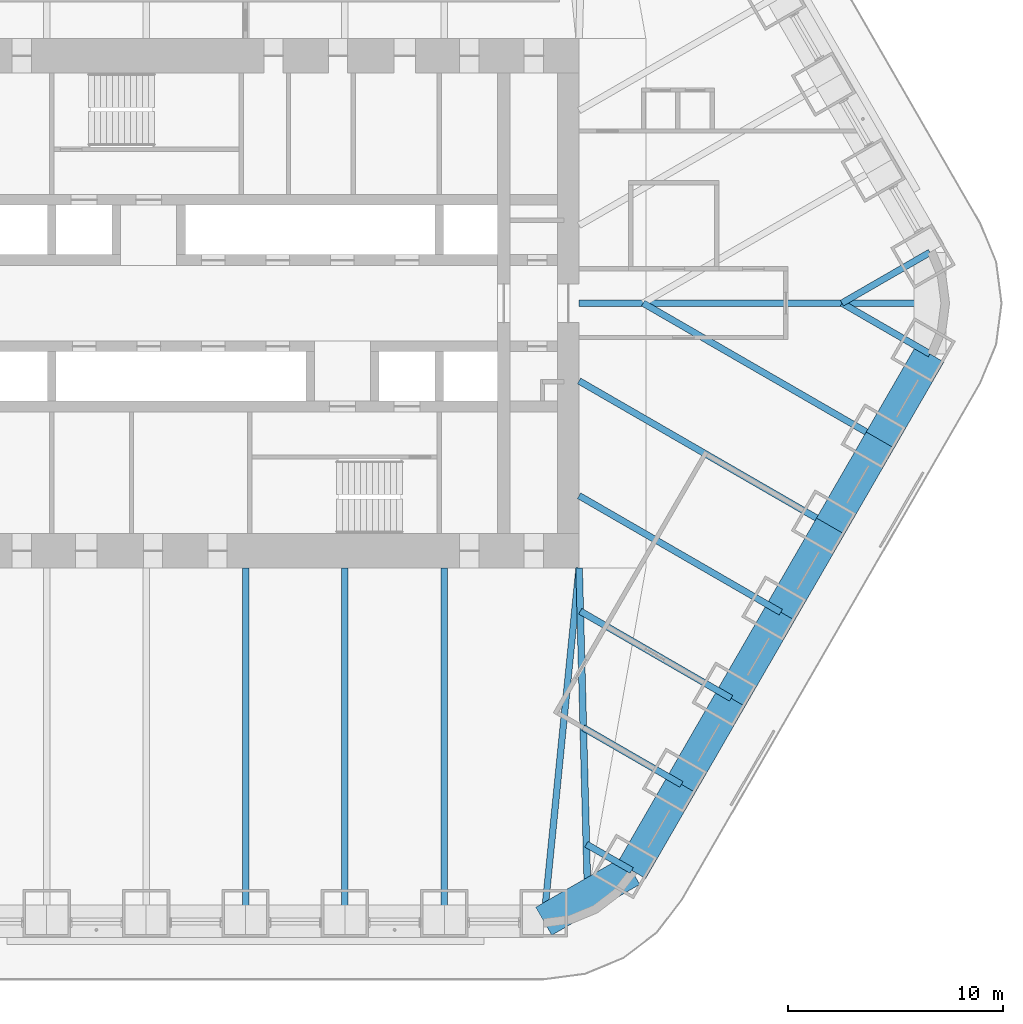
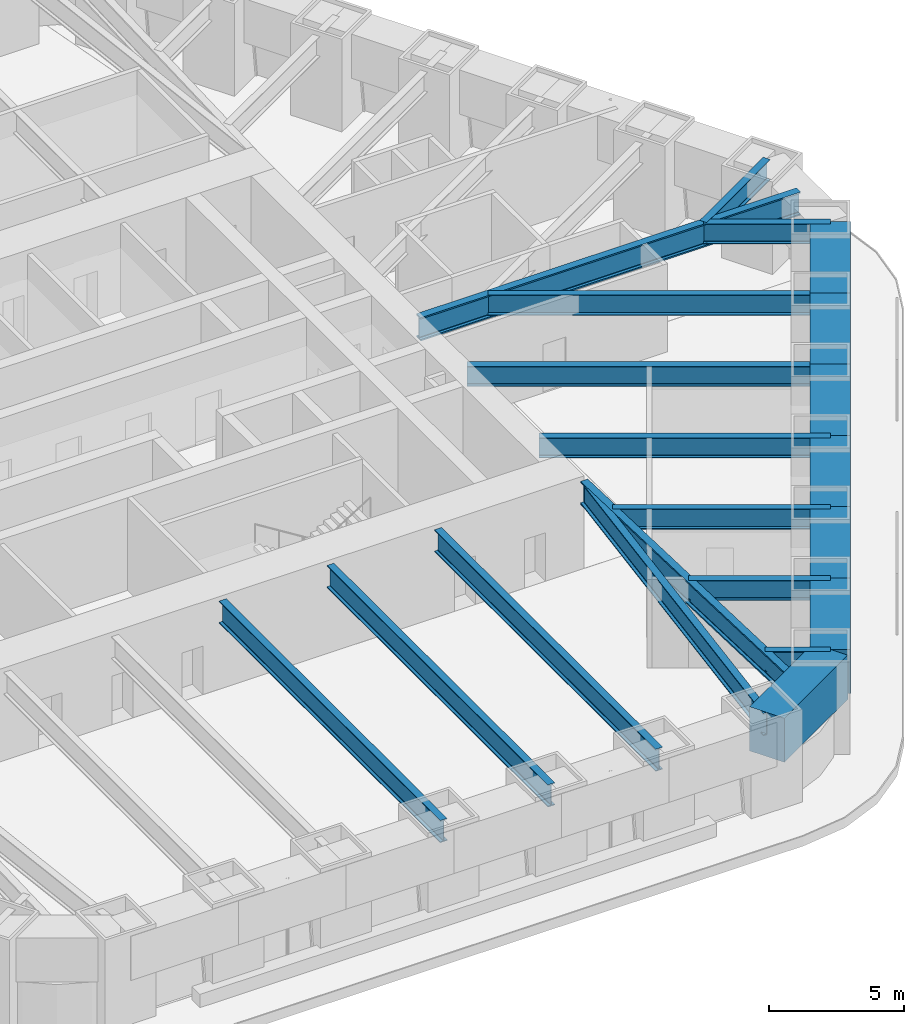
# One storey, part 5 of 20: 21 beams.
"""IFC4 building model written with IfcOpenShell, lengths in metres."""

from ifc_helpers import new_model, si_unit, direction, frame, origin, origin_2d, place, context, subcontext, project, spatial, rectangle, i_section, extrude, material, material_profile, profile_set, type_object, element, save


model = new_model("IFC4")

# Units and contexts
model_context = context("Model", 3, precision=1e-05, world=origin(), true_north=direction((0.0, 1.0)))
body_context = subcontext(model_context, "Body", "Model", "MODEL_VIEW")
ifc_project = project(units=[si_unit("LENGTHUNIT", "METRE"), si_unit("AREAUNIT", "SQUARE_METRE"), si_unit("VOLUMEUNIT", "CUBIC_METRE"), si_unit("PLANEANGLEUNIT", "RADIAN"), si_unit("MASSUNIT", "GRAM", prefix="KILO")], contexts=[model_context])

# Site, building, storey
site_placement = place(None, origin())
site = spatial("IfcSite", under=ifc_project, at=site_placement, CompositionType="ELEMENT")
building_placement = place(site_placement, origin())
building = spatial("IfcBuilding", under=site, at=building_placement, Name="Tarfa Lantern Tower", CompositionType="ELEMENT")
storey_placement = place(building_placement, frame((0.0, 0.0, 215.5)))
storey = spatial("IfcBuildingStorey", under=building, at=storey_placement, Name="L48", CompositionType="ELEMENT", Elevation=215.5)

# Beams
ifc_material_1 = material(Name="Concrete C80/95", Category="concrete")
ifc_material_profile_1 = material_profile(ifc_material_1, rectangle(XDim=1.5, YDim=2.0, at=origin_2d()), Name="RC 1500x2000")
ifc_profile_set_1 = profile_set([ifc_material_profile_1], Name="Concrete C80/95")
beam_type_1 = type_object("IfcBeamType", Name="RB3 RC 1500x2000", PredefinedType="BEAM", material=ifc_profile_set_1)
beam_1_placement = place(storey_placement, frame((13.8564453125, -28.719970703125, 3.0), z_axis=(0.866038294681, 0.499977671647, 0.0), x_axis=(-0.499977671647, 0.866038294681, 0.0)))
element("IfcBeam", 1, at=beam_1_placement, inside=storey, type_object=beam_type_1, Name="Edge beam S6", PredefinedType="BEAM", context=body_context, shape_type="SweptSolid", body=[
    extrude(rectangle(XDim=1.5, YDim=2.0, at=origin_2d()), origin(), (0.0, 0.0, 1.0), 4.719970703125),
])
for number, where, z_axis, x_axis, name in (
    (2, (17.944091796875, -26.360107421875, 3.0), (0.499987836815, 0.866032426089, 0.0), (-0.866032426089, 0.499987836815, 0.0), "Edge beam SE0"),
    (3, (20.25341796875, -22.360107421875, 3.0), (0.499987836815, 0.866032426089, 0.0), (-0.866032426089, 0.499987836815, 0.0), "Edge beam SE1"),
):
    element("IfcBeam", number, at=place(storey_placement, frame(where, z_axis=z_axis, x_axis=x_axis)), inside=storey, type_object=beam_type_1, Name=name, PredefinedType="BEAM", context=body_context, shape_type="SweptSolid", body=[
        extrude(rectangle(XDim=1.5, YDim=2.0, at=origin_2d()), origin(), (0.0, 0.0, 1.0), 4.61865234375),
    ])
beam_2_placement = place(storey_placement, frame((22.562744140625, -18.360107421875, 3.0), z_axis=(0.500027479704, 0.866009537788, 0.0), x_axis=(-0.866009537788, 0.500027479704, 0.0)))
element("IfcBeam", 4, at=beam_2_placement, inside=storey, type_object=beam_type_1, Name="Edge beam SE2", PredefinedType="BEAM", context=body_context, shape_type="SweptSolid", body=[
    extrude(rectangle(XDim=1.5, YDim=2.0, at=origin_2d()), origin(), (0.0, 0.0, 1.0), 4.618896484375),
])
for number, where, z_axis, x_axis, name in (
    (5, (24.872314453125, -14.360107421875, 3.0), (0.499987836815, 0.866032426089, 0.0), (-0.866032426089, 0.499987836815, 0.0), "Edge beam SE3"),
    (6, (27.181640625, -10.360107421875, 3.0), (0.499987836815, 0.866032426089, 0.0), (-0.866032426089, 0.499987836815, 0.0), "Edge beam SE4"),
):
    element("IfcBeam", number, at=place(storey_placement, frame(where, z_axis=z_axis, x_axis=x_axis)), inside=storey, type_object=beam_type_1, Name=name, PredefinedType="BEAM", context=body_context, shape_type="SweptSolid", body=[
        extrude(rectangle(XDim=1.5, YDim=2.0, at=origin_2d()), origin(), (0.0, 0.0, 1.0), 4.61865234375),
    ])
beam_3_placement = place(storey_placement, frame((29.490966796875, -6.360107421875, 3.0), z_axis=(0.500027479704, 0.866009537788, 0.0), x_axis=(-0.866009537788, 0.500027479704, 0.0)))
element("IfcBeam", 7, at=beam_3_placement, inside=storey, type_object=beam_type_1, Name="Edge beam SE5", PredefinedType="BEAM", context=body_context, shape_type="SweptSolid", body=[
    extrude(rectangle(XDim=1.5, YDim=2.0, at=origin_2d()), origin(), (0.0, 0.0, 1.0), 4.618896484375),
])
ifc_material_2 = material(Name="Steel S460M", Category="steel")
ifc_material_profile_2 = material_profile(ifc_material_2, i_section(OverallWidth=0.302001953125, OverallDepth=1.008056640625, WebThickness=0.02099609375, FlangeThickness=0.0400390625, FilletRadius=0.030029296875, at=origin_2d()), Name="UB1016x305x349")
ifc_profile_set_2 = profile_set([ifc_material_profile_2], Name="Steel S460M")
beam_type_2 = type_object("IfcBeamType", Name="UB1016x305x349", PredefinedType="BEAM", material=ifc_profile_set_2)
for number, where, z_axis, x_axis, name in (
    (8, (0.0, -28.719970703125, 3.495849609375), (0.0, 1.0, 0.0), (-1.0, 0.0, 0.0), "Floor beam S3"),
    (9, (4.618896484375, -28.719970703125, 3.495849609375), (0.0, 1.0, 0.0), (-1.0, 0.0, 0.0), "Floor beam S4"),
    (10, (9.237548828125, -28.719970703125, 3.495849609375), (0.0, 1.0, 0.0), (-1.0, 0.0, 0.0), "Floor beam S5"),
):
    element("IfcBeam", number, at=place(storey_placement, frame(where, z_axis=z_axis, x_axis=x_axis)), inside=storey, type_object=beam_type_2, Name=name, PredefinedType="BEAM", context=body_context, shape_type="SweptSolid", body=[
        extrude(i_section(OverallWidth=0.302001953125, OverallDepth=1.008056640625, WebThickness=0.02099609375, FlangeThickness=0.0400390625, FilletRadius=0.030029296875, at=origin_2d()), origin(), (0.0, 0.0, 1.0), 16.419921875),
    ])
beam_4_placement = place(storey_placement, frame((13.8564453125, -28.719970703125, 3.495849609375), z_axis=(0.099597466746, 0.995027810977, 0.0), x_axis=(-0.995027810977, 0.099597466746, 0.0)))
element("IfcBeam", 11, at=beam_4_placement, inside=storey, type_object=beam_type_2, Name="Floor beam S6", PredefinedType="BEAM", context=body_context, shape_type="SweptSolid", body=[
    extrude(i_section(OverallWidth=0.302001953125, OverallDepth=1.008056640625, WebThickness=0.02099609375, FlangeThickness=0.0400390625, FilletRadius=0.030029296875, at=origin_2d()), origin(), (0.0, 0.0, 1.0), 16.501953125),
])
ifc_material_profile_3 = material_profile(ifc_material_2, i_section(OverallWidth=0.314208984375, OverallDepth=1.055908203125, WebThickness=0.035888671875, FlangeThickness=0.06396484375, FilletRadius=0.030029296875, at=origin_2d()), Name="UB1016x305x584")
ifc_profile_set_3 = profile_set([ifc_material_profile_3], Name="Steel S460M")
beam_type_3 = type_object("IfcBeamType", Name="UB1016x305x584", PredefinedType="BEAM", material=ifc_profile_set_3)
beam_5_placement = place(storey_placement, frame((15.5, 0.0, 3.471923828125), z_axis=(1.0, 0.0, 0.0), x_axis=(0.0, 1.0, 0.0)))
element("IfcBeam", 12, at=beam_5_placement, inside=storey, type_object=beam_type_3, Name="Hip girder E", PredefinedType="BEAM", context=body_context, shape_type="SweptSolid", body=[
    extrude(i_section(OverallWidth=0.314208984375, OverallDepth=1.055908203125, WebThickness=0.035888671875, FlangeThickness=0.06396484375, FilletRadius=0.030029296875, at=origin_2d()), origin(), (0.0, 0.0, 1.0), 16.300537109375),
])
beam_6_placement = place(storey_placement, frame((15.5, -12.300048828125, 3.471923828125), z_axis=(0.026247301989, -0.999655480222, 0.0), x_axis=(0.999655480222, 0.026247301989, 0.0)))
element("IfcBeam", 13, at=beam_6_placement, inside=storey, type_object=beam_type_3, Name="Hip girder SE", PredefinedType="BEAM", context=body_context, shape_type="SweptSolid", body=[
    extrude(i_section(OverallWidth=0.314208984375, OverallDepth=1.055908203125, WebThickness=0.035888671875, FlangeThickness=0.06396484375, FilletRadius=0.030029296875, at=origin_2d()), origin(), (0.0, 0.0, 1.0), 15.245361328125),
])
ifc_material_profile_4 = material_profile(ifc_material_2, i_section(OverallWidth=0.305419921875, OverallDepth=0.91845703125, WebThickness=0.017333984375, FlangeThickness=0.02783203125, FilletRadius=0.01904296875, at=origin_2d()), Name="UB914x305x253")
ifc_profile_set_4 = profile_set([ifc_material_profile_4], Name="Steel S460M")
beam_type_4 = type_object("IfcBeamType", Name="UB914x305x253", PredefinedType="BEAM", material=ifc_profile_set_4)
beam_7_placement = place(storey_placement, frame((31.800537109375, 2.360107421875, 3.540771484375), z_axis=(-0.866015897305, -0.500016465344, 0.0), x_axis=(0.500016465344, -0.866015897305, 0.0)))
element("IfcBeam", 14, at=beam_7_placement, inside=storey, type_object=beam_type_4, Name="Floor beam NE0", PredefinedType="BEAM", context=body_context, shape_type="SweptSolid", body=[
    extrude(i_section(OverallWidth=0.305419921875, OverallDepth=0.91845703125, WebThickness=0.017333984375, FlangeThickness=0.02783203125, FilletRadius=0.01904296875, at=origin_2d()), origin(), (0.0, 0.0, 1.0), 4.719970703125),
])
beam_8_placement = place(storey_placement, frame((17.944091796875, -26.360107421875, 3.540771484375), z_axis=(-0.865980009423, 0.5000786171, 0.0), x_axis=(-0.5000786171, -0.865980009423, 0.0)))
element("IfcBeam", 15, at=beam_8_placement, inside=storey, type_object=beam_type_4, Name="Floor beam SE0", PredefinedType="BEAM", context=body_context, shape_type="SweptSolid", body=[
    extrude(i_section(OverallWidth=0.305419921875, OverallDepth=0.91845703125, WebThickness=0.017333984375, FlangeThickness=0.02783203125, FilletRadius=0.01904296875, at=origin_2d()), origin(), (0.0, 0.0, 1.0), 2.4326171875),
])
beam_9_placement = place(storey_placement, frame((20.25341796875, -22.360107421875, 3.540771484375), z_axis=(-0.86601951648, 0.500010196972, 0.0), x_axis=(-0.500010196972, -0.86601951648, 0.0)))
element("IfcBeam", 16, at=beam_9_placement, inside=storey, type_object=beam_type_4, Name="Floor beam SE1", PredefinedType="BEAM", context=body_context, shape_type="SweptSolid", body=[
    extrude(i_section(OverallWidth=0.305419921875, OverallDepth=0.91845703125, WebThickness=0.017333984375, FlangeThickness=0.02783203125, FilletRadius=0.01904296875, at=origin_2d()), origin(), (0.0, 0.0, 1.0), 5.263671875),
])
beam_10_placement = place(storey_placement, frame((22.562744140625, -18.360107421875, 3.540771484375), z_axis=(-0.866010787764, 0.500025314835, 0.0), x_axis=(-0.500025314835, -0.866010787764, 0.0)))
element("IfcBeam", 17, at=beam_10_placement, inside=storey, type_object=beam_type_4, Name="Floor beam SE2", PredefinedType="BEAM", context=body_context, shape_type="SweptSolid", body=[
    extrude(i_section(OverallWidth=0.305419921875, OverallDepth=0.91845703125, WebThickness=0.017333984375, FlangeThickness=0.02783203125, FilletRadius=0.01904296875, at=origin_2d()), origin(), (0.0, 0.0, 1.0), 8.09423828125),
])
beam_11_placement = place(storey_placement, frame((24.872314453125, -14.360107421875, 3.540771484375), z_axis=(-0.8660244219, 0.500001700669, 0.0), x_axis=(-0.500001700669, -0.8660244219, 0.0)))
element("IfcBeam", 18, at=beam_11_placement, inside=storey, type_object=beam_type_4, Name="Floor beam SE3", PredefinedType="BEAM", context=body_context, shape_type="SweptSolid", body=[
    extrude(i_section(OverallWidth=0.305419921875, OverallDepth=0.91845703125, WebThickness=0.017333984375, FlangeThickness=0.02783203125, FilletRadius=0.01904296875, at=origin_2d()), origin(), (0.0, 0.0, 1.0), 10.822265625),
])
beam_12_placement = place(storey_placement, frame((27.181640625, -10.360107421875, 3.540771484375), z_axis=(-0.866018002818, 0.500012818631, 0.0), x_axis=(-0.500012818631, -0.866018002818, 0.0)))
element("IfcBeam", 19, at=beam_12_placement, inside=storey, type_object=beam_type_4, Name="Floor beam SE4", PredefinedType="BEAM", context=body_context, shape_type="SweptSolid", body=[
    extrude(i_section(OverallWidth=0.305419921875, OverallDepth=0.91845703125, WebThickness=0.017333984375, FlangeThickness=0.02783203125, FilletRadius=0.01904296875, at=origin_2d()), origin(), (0.0, 0.0, 1.0), 13.489013671875),
])
beam_13_placement = place(storey_placement, frame((29.490966796875, -6.360107421875, 3.540771484375), z_axis=(-0.866022258038, 0.500005448553, 0.0), x_axis=(-0.500005448553, -0.866022258038, 0.0)))
element("IfcBeam", 20, at=beam_13_placement, inside=storey, type_object=beam_type_4, Name="Floor beam SE5", PredefinedType="BEAM", context=body_context, shape_type="SweptSolid", body=[
    extrude(i_section(OverallWidth=0.305419921875, OverallDepth=0.91845703125, WebThickness=0.017333984375, FlangeThickness=0.02783203125, FilletRadius=0.01904296875, at=origin_2d()), origin(), (0.0, 0.0, 1.0), 12.719970703125),
])
beam_14_placement = place(storey_placement, frame((31.800537109375, -2.360107421875, 3.540771484375), z_axis=(-0.866015897305, 0.500016465344, 0.0), x_axis=(-0.500016465344, -0.866015897305, 0.0)))
element("IfcBeam", 21, at=beam_14_placement, inside=storey, type_object=beam_type_4, Name="Floor beam SE6", PredefinedType="BEAM", context=body_context, shape_type="SweptSolid", body=[
    extrude(i_section(OverallWidth=0.305419921875, OverallDepth=0.91845703125, WebThickness=0.017333984375, FlangeThickness=0.02783203125, FilletRadius=0.01904296875, at=origin_2d()), origin(), (0.0, 0.0, 1.0), 4.719970703125),
])

save(model, "model.ifc")
